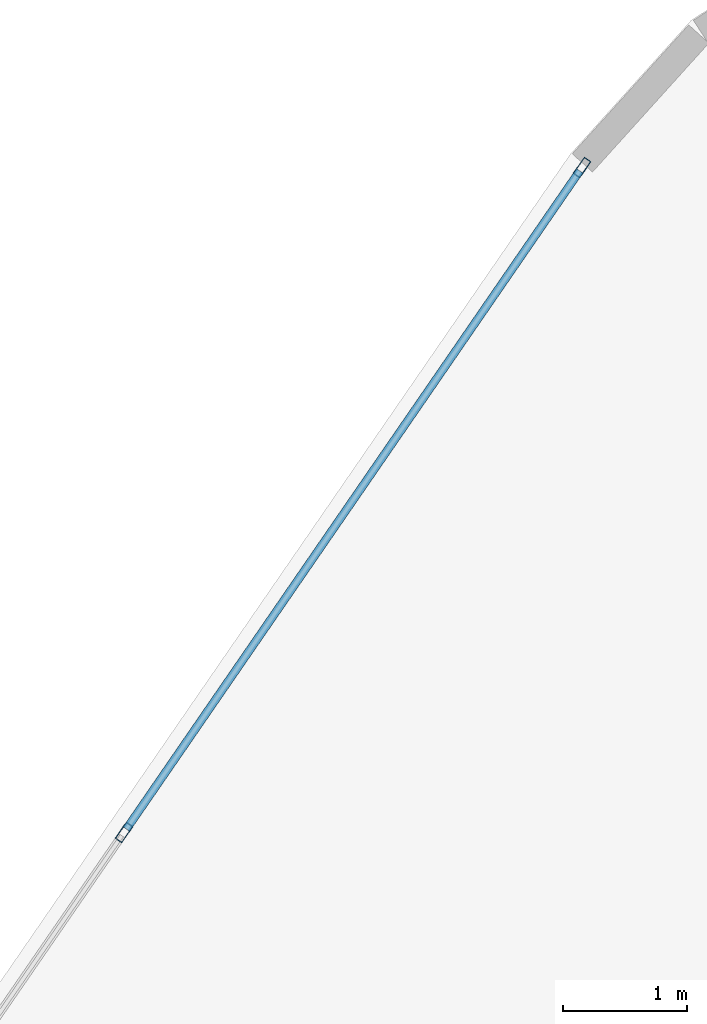
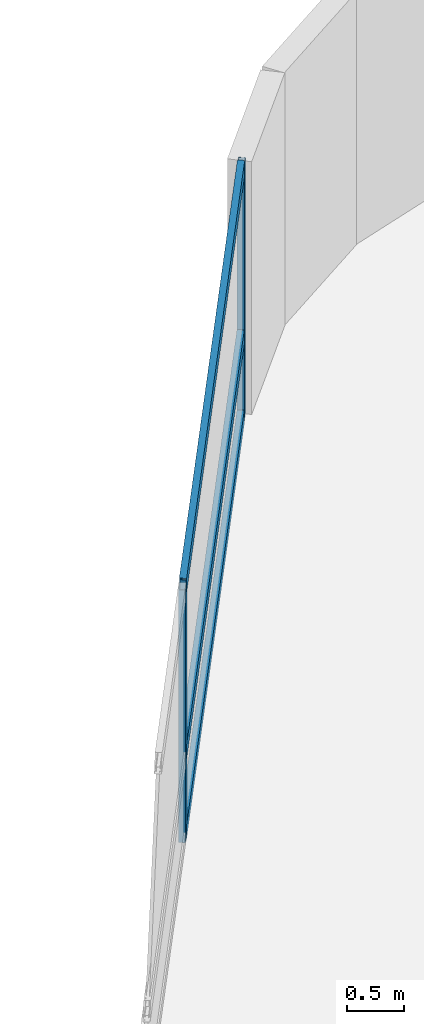
# One storey, part 15 of 25: 5 members, 1 element without a shape of its own.
"""IFC4 building model written with IfcOpenShell, lengths in metres."""

import ifcopenshell
import ifcopenshell.guid

model = None  # the IFC model being written
_history = None  # IfcOwnerHistory: only IFC2X3 demands one
_inside = {}  # id of a spatial element -> (the spatial element, [elements in it])
_under = {}  # id of a project, library or spatial element -> (it, [spatial elements below it])
_declared = {}  # id of a project -> (the project, [libraries it declares])
_typed = {}  # id of a type object -> (the type object, [elements of that type])
_made_of = {}  # id of a material, layer set ... -> (it, [elements and type objects made of it])


def new_model(schema):
    """Start an empty IFC model of exactly this schema.

    Asked for "IFC4X3", IfcOpenShell would pick the latest addendum, in which some entities
    have other attributes; the version numbers below select the first issue.
    IFC2X3 requires an IfcOwnerHistory on every rooted entity: one is made here for all.
    """
    global model, _history
    if schema == "IFC4X3":
        model = ifcopenshell.file(schema_version=(4, 3, 0, 0))
    else:
        model = ifcopenshell.file(schema=schema)
    _inside.clear()
    _under.clear()
    _declared.clear()
    _typed.clear()
    _made_of.clear()
    _history = None
    if model.schema == "IFC2X3":
        org = make("IfcOrganization", Name="unknown")
        user = make(
            "IfcPersonAndOrganization",
            ThePerson=make("IfcPerson", FamilyName="unknown"),
            TheOrganization=org,
        )
        app = make(
            "IfcApplication",
            ApplicationDeveloper=org,
            Version="unknown",
            ApplicationFullName="unknown",
            ApplicationIdentifier="unknown",
        )
        _history = make(
            "IfcOwnerHistory",
            OwningUser=user,
            OwningApplication=app,
            ChangeAction="ADDED",
            CreationDate=0,
        )
    return model


def make(cls, **values):
    """One entity of the class cls with the attributes given. An attribute that is None is left unset."""
    return model.create_entity(
        cls, **{name: value for name, value in values.items() if value is not None}
    )


def rooted(cls, **values):
    """An entity with a GlobalId (a new one), such as an element, a storey or a relation."""
    return make(cls, GlobalId=ifcopenshell.guid.new(), OwnerHistory=_history, **values)


def si_unit(unit_type, name, prefix=None):
    """IfcSIUnit, for example si_unit("LENGTHUNIT", "METRE", prefix="MILLI")."""
    return make("IfcSIUnit", UnitType=unit_type, Prefix=prefix, Name=name)


def assignment(units):
    """IfcUnitAssignment: the units of a project."""
    return None if units is None else make("IfcUnitAssignment", Units=units)


def point(xyz):
    """IfcCartesianPoint."""
    return None if xyz is None else make("IfcCartesianPoint", Coordinates=xyz)


def direction(xyz):
    """IfcDirection."""
    return None if xyz is None else make("IfcDirection", DirectionRatios=xyz)


def frame(location, z_axis=None, x_axis=None):
    """IfcAxis2Placement3D, a coordinate frame: its origin and axes. An axis left out is left unset."""
    return make(
        "IfcAxis2Placement3D",
        Location=point(location),
        Axis=direction(z_axis),
        RefDirection=direction(x_axis),
    )


def frame_2d(location, x_axis=None):
    """IfcAxis2Placement2D, a coordinate frame in the plane: its origin and x axis."""
    return make(
        "IfcAxis2Placement2D", Location=point(location), RefDirection=direction(x_axis)
    )


def origin():
    """The frame at (0, 0, 0) with its axes left unset."""
    return frame((0.0, 0.0, 0.0))


def origin_2d():
    """The frame at (0, 0) in the plane with its x axis left unset."""
    return frame_2d((0.0, 0.0))


def place(relative_to, where):
    """IfcLocalPlacement: puts the frame where relative to a parent placement (None: the world)."""
    return make(
        "IfcLocalPlacement", PlacementRelTo=relative_to, RelativePlacement=where
    )


def context(
    kind, dimensions, precision=None, world=None, true_north=None, identifier=None
):
    """IfcGeometricRepresentationContext, for example the 3D "Model" context."""
    return make(
        "IfcGeometricRepresentationContext",
        ContextIdentifier=identifier,
        ContextType=kind,
        CoordinateSpaceDimension=dimensions,
        Precision=precision,
        WorldCoordinateSystem=world,
        TrueNorth=true_north,
    )


def subcontext(parent, identifier, kind, view, scale=None):
    """IfcGeometricRepresentationSubContext, for example "Body" below "Model"."""
    return make(
        "IfcGeometricRepresentationSubContext",
        ContextIdentifier=identifier,
        ContextType=kind,
        ParentContext=parent,
        TargetScale=scale,
        TargetView=view,
    )


def project(units=None, contexts=None):
    """IfcProject with its units and contexts."""
    return rooted(
        "IfcProject",
        Name="project",
        RepresentationContexts=contexts,
        UnitsInContext=assignment(units),
    )


def spatial(cls, under=None, at=None, **own):
    """A site, building, storey or space (cls), placed at a placement, below another one or the project."""
    s = rooted(cls, ObjectPlacement=at, **own)
    if under is not None:
        _under.setdefault(under.id(), (under, []))[1].append(s)
    return s


def profile(cls, at=None, kind="AREA", **sizes):
    """A parametric profile (cls). Its sizes go by their IFC names, for example OverallWidth=200.0."""
    return make(cls, ProfileType=kind, Position=at, **sizes)


def hollow_rectangle(**sizes):
    """IfcRectangleHollowProfileDef."""
    return profile("IfcRectangleHollowProfileDef", **sizes)


def extrude(swept, where, along, depth):
    """IfcExtrudedAreaSolid: the profile swept, set in the frame where, extruded along a direction by depth."""
    return make(
        "IfcExtrudedAreaSolid",
        SweptArea=swept,
        Position=where,
        ExtrudedDirection=direction(along),
        Depth=depth,
    )


def shape(context_of_items, identifier, shape_type, items):
    """IfcShapeRepresentation: the items that make up one representation, for example the "Body"."""
    return make(
        "IfcShapeRepresentation",
        ContextOfItems=context_of_items,
        RepresentationIdentifier=identifier,
        RepresentationType=shape_type,
        Items=items,
    )


def material(Name=None, Category=None):
    """IfcMaterial."""
    return make("IfcMaterial", Name=Name, Category=Category)


def layer(
    of_material, thickness, ventilated=None, Name=None, Category=None, Priority=None
):
    """IfcMaterialLayer: one layer of a wall or slab, of a material (None: an air gap)."""
    return make(
        "IfcMaterialLayer",
        Material=of_material,
        LayerThickness=thickness,
        IsVentilated=ventilated,
        Name=Name,
        Category=Category,
        Priority=Priority,
    )


def layer_set(layers, Name=None):
    """IfcMaterialLayerSet."""
    return make("IfcMaterialLayerSet", MaterialLayers=layers, LayerSetName=Name)


def material_profile(
    of_material, cross_section, Name=None, Category=None, Priority=None
):
    """IfcMaterialProfile: a cross section and its material."""
    return make(
        "IfcMaterialProfile",
        Name=Name,
        Material=of_material,
        Profile=cross_section,
        Priority=Priority,
        Category=Category,
    )


def profile_set(profiles, Name=None, composite=None):
    """IfcMaterialProfileSet."""
    return make(
        "IfcMaterialProfileSet",
        Name=Name,
        MaterialProfiles=profiles,
        CompositeProfile=composite,
    )


def made_of(thing, what):
    """Note that an element or type object is made of a material, layer set ...; save() writes the relation."""
    if what is not None:
        _made_of.setdefault(what.id(), (what, []))[1].append(thing)
    return thing


def type_object(cls, material=None, **own):
    """A type object (cls), such as IfcWallType, which elements share."""
    return made_of(rooted(cls, **own), material)


def element(
    cls,
    number,
    at=None,
    inside=None,
    cuts=None,
    type_object=None,
    material=None,
    context=None,
    identifier="Body",
    shape_type=None,
    held_by="IfcProductDefinitionShape",
    body=None,
    shapes=None,
    **own,
):
    """One element of the class cls, such as IfcWall. Its Tag is "e" and its number.

    at: its placement. inside: the storey or other place that contains it. cuts: it is an
    opening in that element (IfcRelVoidsElement). A single representation is given by context,
    identifier, shape_type and body (its items); several are given by shapes. held_by: the class
    of the entity that holds the representations. save() writes the other relations.
    """
    e = rooted(cls, Tag="e%d" % number, ObjectPlacement=at, **own)
    if body is not None:
        shapes = [shape(context, identifier, shape_type, body)]
    if shapes is not None:
        e.Representation = make(held_by, Representations=shapes)
    if inside is not None:
        _inside.setdefault(inside.id(), (inside, []))[1].append(e)
    if cuts is not None:
        rooted(
            "IfcRelVoidsElement", RelatingBuildingElement=cuts, RelatedOpeningElement=e
        )
    if type_object is not None:
        _typed.setdefault(type_object.id(), (type_object, []))[1].append(e)
    return made_of(e, material)


def aggregate(whole, parts):
    """IfcRelAggregates: a whole, such as a stair, and the parts it consists of."""
    return rooted("IfcRelAggregates", RelatingObject=whole, RelatedObjects=parts)


def save(model, path):
    """Write the relations noted so far, then the file.

    IfcRelAggregates (storeys below a building ...), IfcRelContainedInSpatialStructure (elements
    in a storey), IfcRelDefinesByType, IfcRelAssociatesMaterial and IfcRelDeclares: one each for
    every whole, place, type object, material and project.
    """
    for whole, parts in _under.values():
        aggregate(whole, parts)
    for where, things in _inside.values():
        rooted(
            "IfcRelContainedInSpatialStructure",
            RelatedElements=things,
            RelatingStructure=where,
        )
    for kind, things in _typed.values():
        rooted("IfcRelDefinesByType", RelatedObjects=things, RelatingType=kind)
    for what, things in _made_of.values():
        rooted("IfcRelAssociatesMaterial", RelatedObjects=things, RelatingMaterial=what)
    for by, libraries in _declared.values():
        rooted("IfcRelDeclares", RelatingContext=by, RelatedDefinitions=libraries)
    model.write(path)


model = new_model("IFC4")

# Units and contexts
model_context = context("Model", 3, precision=1e-05, world=origin(), true_north=direction((0.0, 1.0)))
body_context = subcontext(model_context, "Body", "Model", "MODEL_VIEW")
ifc_project = project(units=[si_unit("LENGTHUNIT", "METRE"), si_unit("AREAUNIT", "SQUARE_METRE"), si_unit("VOLUMEUNIT", "CUBIC_METRE"), si_unit("PLANEANGLEUNIT", "RADIAN"), si_unit("MASSUNIT", "GRAM", prefix="KILO")], contexts=[model_context])

# Site, building, storey
site_placement = place(None, origin())
site = spatial("IfcSite", under=ifc_project, at=site_placement, CompositionType="ELEMENT")
building_placement = place(site_placement, origin())
building = spatial("IfcBuilding", under=site, at=building_placement, Name="Varnelok Gate Tower", CompositionType="ELEMENT")
storey_placement = place(building_placement, frame((0.0, 0.0, 64.0)))
storey = spatial("IfcBuildingStorey", under=building, at=storey_placement, Name="L15", CompositionType="ELEMENT", Elevation=64.0)

# Curtain wall, members
ifc_material = material(Name="Anodized Aluminum Alloy 6063-T6", Category="aluminium")
ifc_layer = layer(ifc_material, 0.179931640625)
ifc_layer_set = layer_set([ifc_layer], Name="Anodized Aluminum Alloy 6063-T6")
curtain_wall_type = type_object("IfcCurtainWallType", Name="CW3-HOTEL-VISION", PredefinedType="USERDEFINED", material=ifc_layer_set)
curtain_wall_placement = place(storey_placement, origin())
curtain_wall = element("IfcCurtainWall", 1, at=curtain_wall_placement, inside=storey, type_object=curtain_wall_type, Name="L15 West End Vision Curtain Wall", ObjectType="UNITISED CURTAIN WALL", PredefinedType="USERDEFINED")
ifc_material_profile_1 = material_profile(ifc_material, hollow_rectangle(XDim=0.06494140625, YDim=0.159912109375, WallThickness=0.00390625, at=origin_2d()), Name="ALU160X65X4")
ifc_profile_set_1 = profile_set([ifc_material_profile_1], Name="Anodized Aluminum Alloy 6063-T6")
member_type_1 = type_object("IfcMemberType", Name="CW-MULL-160", PredefinedType="MULLION", material=ifc_profile_set_1)
member_1_placement = place(storey_placement, frame((14.48291015625, 58.273193359375, 0.0), z_axis=(0.0, 0.0, 1.0), x_axis=(-0.823532685111, 0.567268822124, 0.0)))
member_1 = element("IfcMember", 2, at=member_1_placement, type_object=member_type_1, Name="CW3 mullion 6", PredefinedType="MULLION", context=body_context, shape_type="SweptSolid", body=[
    extrude(hollow_rectangle(XDim=0.06494140625, YDim=0.159912109375, WallThickness=0.00390625, at=origin_2d()), origin(), (0.0, 0.0, 1.0), 2.72998046875),
])
member_2_placement = place(storey_placement, frame((18.189453125, 63.654296875, 0.0), z_axis=(0.0, 0.0, 1.0), x_axis=(-0.823532685111, 0.567268822124, 0.0)))
member_2 = element("IfcMember", 3, at=member_2_placement, type_object=member_type_1, Name="CW3 mullion 7", PredefinedType="MULLION", context=body_context, shape_type="SweptSolid", body=[
    extrude(hollow_rectangle(XDim=0.06494140625, YDim=0.159912109375, WallThickness=0.00390625, at=origin_2d()), origin(), (0.0, 0.0, 1.0), 2.72998046875),
])
ifc_material_profile_2 = material_profile(ifc_material, hollow_rectangle(XDim=0.06494140625, YDim=0.159912109375, WallThickness=0.00390625, at=origin_2d()), Name="ALU160X65X4")
ifc_profile_set_2 = profile_set([ifc_material_profile_2], Name="Anodized Aluminum Alloy 6063-T6")
member_type_2 = type_object("IfcMemberType", Name="CW-TRAN-160", PredefinedType="USERDEFINED", material=ifc_profile_set_2)
member_3_placement = place(storey_placement, frame((14.50146484375, 58.300048828125, 0.032470703125), z_axis=(0.567255754851, 0.823541686006, 0.0), x_axis=(-0.823541686006, 0.567255754851, 0.0)))
member_3 = element("IfcMember", 4, at=member_3_placement, type_object=member_type_2, Name="CW3 transom 6.1", ObjectType="TRANSOM", PredefinedType="USERDEFINED", context=body_context, shape_type="SweptSolid", body=[
    extrude(hollow_rectangle(XDim=0.06494140625, YDim=0.159912109375, WallThickness=0.00390625, at=origin_2d()), origin(), (0.0, 0.0, 1.0), 6.46923828125),
])
member_4_placement = place(storey_placement, frame((14.50146484375, 58.300048828125, 0.89990234375), z_axis=(0.567255754851, 0.823541686006, 0.0), x_axis=(-0.823541686006, 0.567255754851, 0.0)))
member_4 = element("IfcMember", 5, at=member_4_placement, type_object=member_type_2, Name="CW3 transom 6.2", ObjectType="TRANSOM", PredefinedType="USERDEFINED", context=body_context, shape_type="SweptSolid", body=[
    extrude(hollow_rectangle(XDim=0.06494140625, YDim=0.159912109375, WallThickness=0.00390625, at=origin_2d()), origin(), (0.0, 0.0, 1.0), 6.46923828125),
])
member_5_placement = place(storey_placement, frame((14.50146484375, 58.300048828125, 2.697509765625), z_axis=(0.567255754851, 0.823541686006, 0.0), x_axis=(-0.823541686006, 0.567255754851, 0.0)))
member_5 = element("IfcMember", 6, at=member_5_placement, type_object=member_type_2, Name="CW3 transom 6.3", ObjectType="TRANSOM", PredefinedType="USERDEFINED", context=body_context, shape_type="SweptSolid", body=[
    extrude(hollow_rectangle(XDim=0.06494140625, YDim=0.159912109375, WallThickness=0.00390625, at=origin_2d()), origin(), (0.0, 0.0, 1.0), 6.46923828125),
])
aggregate(curtain_wall, [member_1, member_2, member_3, member_4, member_5])

save(model, "model.ifc")
